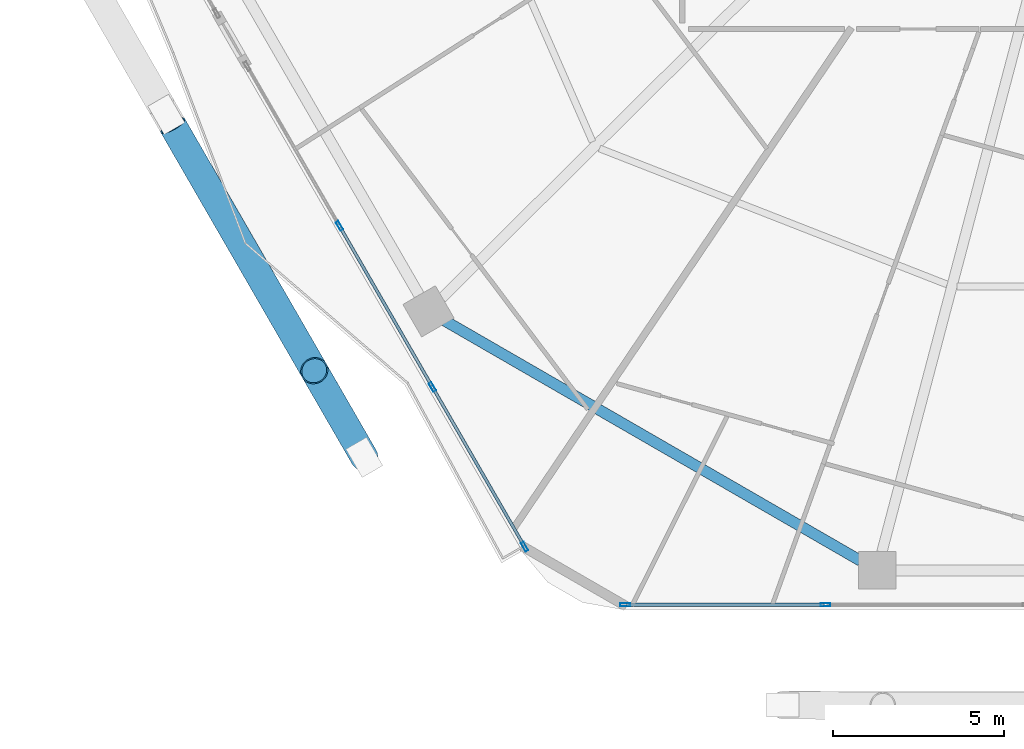
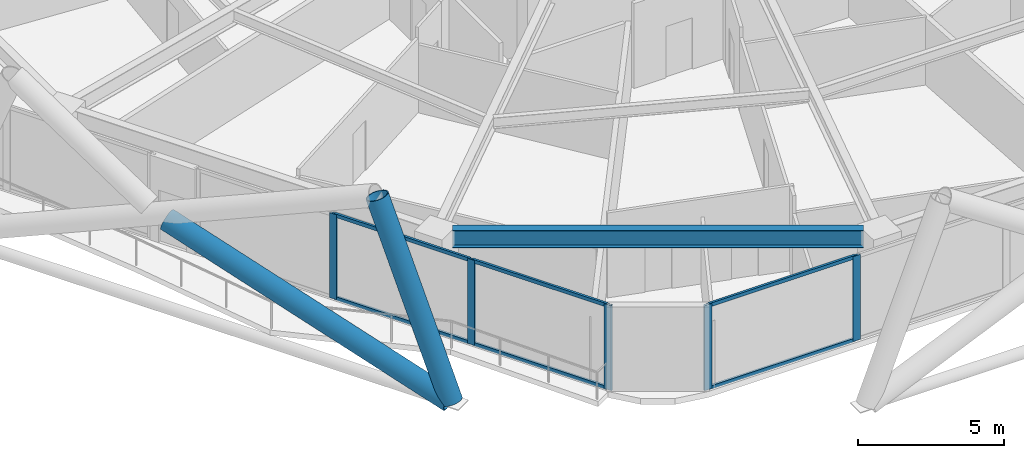
# One storey, part 2 of 35: 13 members, 1 beam, 2 elements without a shape of their own.
"""IFC4 building model written with IfcOpenShell, lengths in metres."""

from ifc_helpers import new_model, si_unit, direction, frame, origin, origin_2d, place, context, subcontext, project, spatial, hollow_rectangle, hollow_circle, i_section, extrude, material, material_profile, profile_set, type_object, element, aggregate, save


model = new_model("IFC4")

# Units and contexts
model_context = context("Model", 3, precision=1e-05, world=origin(), true_north=direction((0.0, 1.0)))
body_context = subcontext(model_context, "Body", "Model", "MODEL_VIEW")
ifc_project = project(units=[si_unit("LENGTHUNIT", "METRE"), si_unit("AREAUNIT", "SQUARE_METRE"), si_unit("VOLUMEUNIT", "CUBIC_METRE"), si_unit("PLANEANGLEUNIT", "RADIAN"), si_unit("MASSUNIT", "GRAM", prefix="KILO")], contexts=[model_context])

# Site, building, storey
site_placement = place(None, origin())
site = spatial("IfcSite", under=ifc_project, at=site_placement, CompositionType="ELEMENT")
building_placement = place(site_placement, origin())
building = spatial("IfcBuilding", under=site, at=building_placement, Name="Zuhravey Tower", CompositionType="ELEMENT")
storey_placement = place(building_placement, frame((0.0, 0.0, 122.800048828125)))
storey = spatial("IfcBuildingStorey", under=building, at=storey_placement, Name="L30", CompositionType="ELEMENT", Elevation=122.800048828125)

# Curtain wall, members
ifc_material_1 = material(Name="Thermally broken anodised aluminium", Category="aluminium")
curtain_wall_type = type_object("IfcCurtainWallType", Name="Zone 1-2 Residential Curtain Wall CW3", PredefinedType="NOTDEFINED", material=ifc_material_1)
curtain_wall_1_placement = place(storey_placement, origin())
curtain_wall_1 = element("IfcCurtainWall", 1, at=curtain_wall_1_placement, inside=storey, type_object=curtain_wall_type, Name="L30 CW3 CW-L30-F5-1", PredefinedType="NOTDEFINED")
ifc_material_2 = material(Name="Anodised aluminium", Category="aluminium")
ifc_material_profile_1 = material_profile(ifc_material_2, hollow_rectangle(XDim=0.090087890625, YDim=0.284912109375, WallThickness=0.0048828125, at=origin_2d()), Name="ALU-RHS-90x285x5")
ifc_profile_set_1 = profile_set([ifc_material_profile_1], Name="Anodised aluminium")
member_type_1 = type_object("IfcMemberType", Name="Curtain-Wall Mullion 90x180", PredefinedType="MULLION", material=ifc_profile_set_1)
member_1_placement = place(storey_placement, frame((27.120361328125, 3.04150390625, 0.0), z_axis=(0.0, 0.0, 1.0), x_axis=(0.0, -1.0, 0.0)))
member_1 = element("IfcMember", 2, at=member_1_placement, type_object=member_type_1, Name="CW3 mullion 5", PredefinedType="MULLION", context=body_context, shape_type="SweptSolid", body=[
    extrude(hollow_rectangle(XDim=0.090087890625, YDim=0.284912109375, WallThickness=0.0048828125, at=origin_2d()), origin(), (0.0, 0.0, 1.0), 3.550048828125),
])
member_2_placement = place(storey_placement, frame((21.24560546875, 3.04150390625, 0.0), z_axis=(0.0, 0.0, 1.0), x_axis=(0.0, -1.0, 0.0)))
member_2 = element("IfcMember", 3, at=member_2_placement, type_object=member_type_1, Name="CW3 mullion 6", PredefinedType="MULLION", context=body_context, shape_type="SweptSolid", body=[
    extrude(hollow_rectangle(XDim=0.090087890625, YDim=0.284912109375, WallThickness=0.0048828125, at=origin_2d()), origin(), (0.0, 0.0, 1.0), 3.550048828125),
])

curtain_wall_2_placement = place(storey_placement, origin())
curtain_wall_2 = element("IfcCurtainWall", 4, at=curtain_wall_2_placement, inside=storey, type_object=curtain_wall_type, Name="L30 CW3 CW-L30-F4-1", PredefinedType="NOTDEFINED")
member_3_placement = place(storey_placement, frame((18.298583984375, 4.742919921875, 0.0), z_axis=(0.0, 0.0, 1.0), x_axis=(-0.86602634688, -0.499998366507, 0.0)))
member_3 = element("IfcMember", 5, at=member_3_placement, type_object=member_type_1, Name="CW3 mullion 1", PredefinedType="MULLION", context=body_context, shape_type="SweptSolid", body=[
    extrude(hollow_rectangle(XDim=0.090087890625, YDim=0.284912109375, WallThickness=0.0048828125, at=origin_2d()), origin(), (0.0, 0.0, 1.0), 3.550048828125),
])
member_4_placement = place(storey_placement, frame((15.594970703125, 9.425537109375, 0.0), z_axis=(0.0, 0.0, 1.0), x_axis=(-0.86602634688, -0.499998366507, 0.0)))
member_4 = element("IfcMember", 6, at=member_4_placement, type_object=member_type_1, Name="CW3 mullion 2", PredefinedType="MULLION", context=body_context, shape_type="SweptSolid", body=[
    extrude(hollow_rectangle(XDim=0.090087890625, YDim=0.284912109375, WallThickness=0.0048828125, at=origin_2d()), origin(), (0.0, 0.0, 1.0), 3.550048828125),
])
member_5_placement = place(storey_placement, frame((12.869140625, 14.14697265625, 0.0), z_axis=(0.0, 0.0, 1.0), x_axis=(-0.86602634688, -0.499998366507, 0.0)))
member_5 = element("IfcMember", 7, at=member_5_placement, type_object=member_type_1, Name="CW3 mullion 3", PredefinedType="MULLION", context=body_context, shape_type="SweptSolid", body=[
    extrude(hollow_rectangle(XDim=0.090087890625, YDim=0.284912109375, WallThickness=0.0048828125, at=origin_2d()), origin(), (0.0, 0.0, 1.0), 3.550048828125),
])

# Member
ifc_material_profile_2 = material_profile(ifc_material_2, hollow_rectangle(XDim=0.090087890625, YDim=0.14990234375, WallThickness=0.0048828125, at=origin_2d()), Name="ALU-RHS-90x150x5")
ifc_profile_set_2 = profile_set([ifc_material_profile_2], Name="Anodised aluminium")
member_type_2 = type_object("IfcMemberType", Name="Curtain-Wall Transom 90x150", PredefinedType="USERDEFINED", material=ifc_profile_set_2)
member_6_placement = place(storey_placement, frame((27.0751953125, 3.04150390625, 0.044921875), z_axis=(-1.0, 0.0, 0.0), x_axis=(0.0, -1.0, 0.0)))
member_6 = element("IfcMember", 8, at=member_6_placement, type_object=member_type_2, Name="CW3 transom 5.1", ObjectType="TRANSOM", PredefinedType="USERDEFINED", context=body_context, shape_type="SweptSolid", body=[
    extrude(hollow_rectangle(XDim=0.090087890625, YDim=0.14990234375, WallThickness=0.0048828125, at=origin_2d()), origin(), (0.0, 0.0, 1.0), 5.78466796875),
])

member_7_placement = place(storey_placement, frame((27.0751953125, 3.04150390625, 3.5048828125), z_axis=(-1.0, 0.0, 0.0), x_axis=(0.0, -1.0, 0.0)))
member_7 = element("IfcMember", 9, at=member_7_placement, type_object=member_type_2, Name="CW3 transom 5.2", ObjectType="TRANSOM", PredefinedType="USERDEFINED", context=body_context, shape_type="SweptSolid", body=[
    extrude(hollow_rectangle(XDim=0.090087890625, YDim=0.14990234375, WallThickness=0.0048828125, at=origin_2d()), origin(), (0.0, 0.0, 1.0), 5.78466796875),
])

aggregate(curtain_wall_1, [member_1, member_2, member_6, member_7])

member_8_placement = place(storey_placement, frame((18.27587890625, 4.781982421875, 0.044921875), z_axis=(-0.500005989697, 0.866021945604, 0.0), x_axis=(-0.866021945604, -0.500005989697, 0.0)))
member_8 = element("IfcMember", 10, at=member_8_placement, type_object=member_type_2, Name="CW3 transom 1.1", ObjectType="TRANSOM", PredefinedType="USERDEFINED", context=body_context, shape_type="SweptSolid", body=[
    extrude(hollow_rectangle(XDim=0.090087890625, YDim=0.14990234375, WallThickness=0.0048828125, at=origin_2d()), origin(), (0.0, 0.0, 1.0), 5.31689453125),
])

member_9_placement = place(storey_placement, frame((18.27587890625, 4.781982421875, 3.5048828125), z_axis=(-0.500005989697, 0.866021945604, 0.0), x_axis=(-0.866021945604, -0.500005989697, 0.0)))
member_9 = element("IfcMember", 11, at=member_9_placement, type_object=member_type_2, Name="CW3 transom 1.2", ObjectType="TRANSOM", PredefinedType="USERDEFINED", context=body_context, shape_type="SweptSolid", body=[
    extrude(hollow_rectangle(XDim=0.090087890625, YDim=0.14990234375, WallThickness=0.0048828125, at=origin_2d()), origin(), (0.0, 0.0, 1.0), 5.31689453125),
])

member_10_placement = place(storey_placement, frame((15.572509765625, 9.464599609375, 0.044921875), z_axis=(-0.499993097703, 0.866029388791, 0.0), x_axis=(-0.866029388791, -0.499993097703, 0.0)))
member_10 = element("IfcMember", 12, at=member_10_placement, type_object=member_type_2, Name="CW3 transom 2.1", ObjectType="TRANSOM", PredefinedType="USERDEFINED", context=body_context, shape_type="SweptSolid", body=[
    extrude(hollow_rectangle(XDim=0.090087890625, YDim=0.14990234375, WallThickness=0.0048828125, at=origin_2d()), origin(), (0.0, 0.0, 1.0), 5.36181640625),
])

member_11_placement = place(storey_placement, frame((15.572509765625, 9.464599609375, 3.5048828125), z_axis=(-0.499993097703, 0.866029388791, 0.0), x_axis=(-0.866029388791, -0.499993097703, 0.0)))
member_11 = element("IfcMember", 13, at=member_11_placement, type_object=member_type_2, Name="CW3 transom 2.2", ObjectType="TRANSOM", PredefinedType="USERDEFINED", context=body_context, shape_type="SweptSolid", body=[
    extrude(hollow_rectangle(XDim=0.090087890625, YDim=0.14990234375, WallThickness=0.0048828125, at=origin_2d()), origin(), (0.0, 0.0, 1.0), 5.36181640625),
])

aggregate(curtain_wall_2, [member_3, member_4, member_5, member_8, member_9, member_10, member_11])

# Members
ifc_material_3 = material(Name="Steel SM460", Category="steel")
ifc_material_profile_3 = material_profile(ifc_material_3, hollow_circle(Radius=0.406494140625, WallThickness=0.035888671875, at=origin_2d()), Name="CHS-812.8x36")
ifc_profile_set_3 = profile_set([ifc_material_profile_3], Name="Steel SM460")
member_type_3 = type_object("IfcMemberType", Name="Exoskeleton Zone 1 Diagrid CHS813x36", PredefinedType="BRACE", material=ifc_profile_set_3)
member_12_placement = place(storey_placement, frame((13.59521484375, 7.369384765625, -0.442138671875), z_axis=(-0.180569214941, 0.312719486379, 0.932524145239), x_axis=(-0.866000778371, -0.500042650041, 0.0)))
element("IfcMember", 14, at=member_12_placement, inside=storey, type_object=member_type_3, Name="L30 Face 4 Diagrid Brace 4", PredefinedType="BRACE", context=body_context, shape_type="SweptSolid", body=[
    extrude(hollow_circle(Radius=0.406494140625, WallThickness=0.035888671875, at=origin_2d()), origin(), (0.0, 0.0, 1.0), 8.102783203125),
])
member_13_placement = place(storey_placement, frame((13.573486328125, 7.406982421875, -0.447021484375), z_axis=(-0.475188029637, 0.823049078063, 0.311105370557), x_axis=(-0.866025211119, -0.500000333706, 0.0)))
element("IfcMember", 15, at=member_13_placement, inside=storey, type_object=member_type_3, Name="L30 Face 4 Split Diagrid Brace 3A", PredefinedType="BRACE", context=body_context, shape_type="SweptSolid", body=[
    extrude(hollow_circle(Radius=0.406494140625, WallThickness=0.035888671875, at=origin_2d()), origin(), (0.0, 0.0, 1.0), 11.763427734375),
])

# Beam
ifc_material_4 = material(Name="Steel SM355", Category="steel")
ifc_material_profile_4 = material_profile(ifc_material_4, i_section(OverallWidth=0.320068359375, OverallDepth=0.75, WebThickness=0.013916015625, FlangeThickness=0.02490234375, at=origin_2d()), Name="H-750x320x14x25")
ifc_profile_set_4 = profile_set([ifc_material_profile_4], Name="Steel SM355")
beam_type = type_object("IfcBeamType", Name="Perimeter Ring Beam H750x320", PredefinedType="BEAM", material=ifc_profile_set_4)
beam_placement = place(storey_placement, frame((15.9599609375, 11.36669921875, 3.175048828125), z_axis=(0.866017786538, -0.500013193225, 0.0), x_axis=(0.500013193225, 0.866017786538, 0.0)))
element("IfcBeam", 16, at=beam_placement, inside=storey, type_object=beam_type, Name="L30 PB1 BM-L30-PB-08", PredefinedType="BEAM", context=body_context, shape_type="SweptSolid", body=[
    extrude(i_section(OverallWidth=0.320068359375, OverallDepth=0.75, WebThickness=0.013916015625, FlangeThickness=0.02490234375, at=origin_2d()), origin(), (0.0, 0.0, 1.0), 14.0771484375),
])

save(model, "model.ifc")
